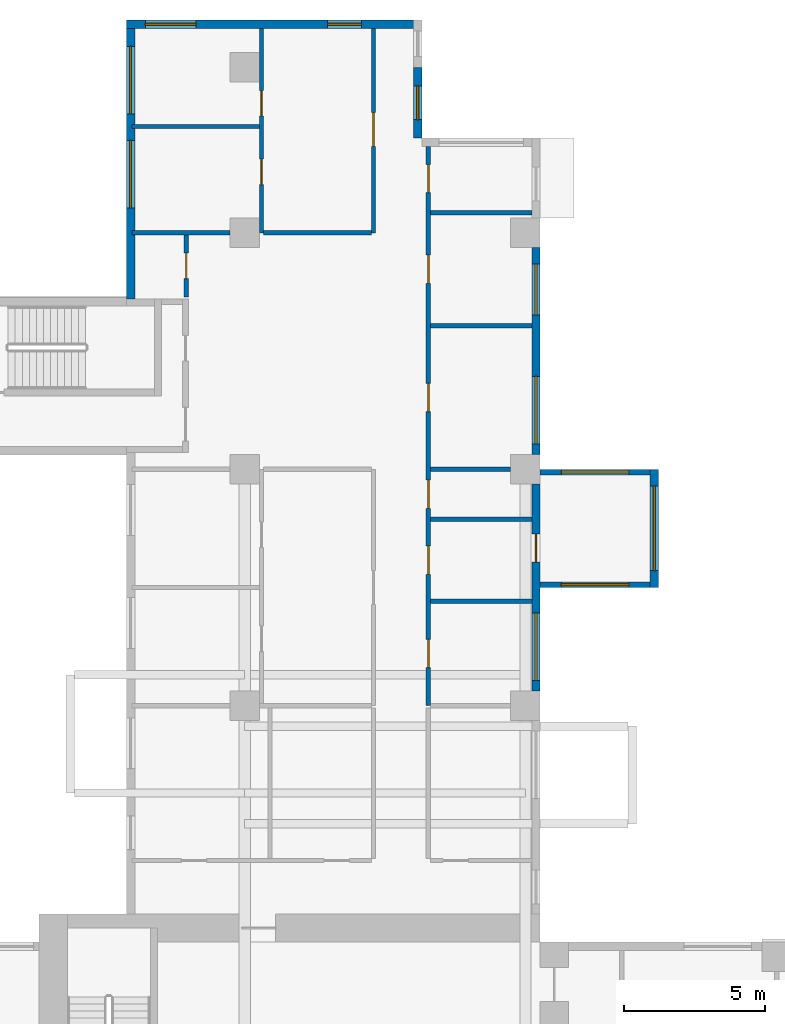
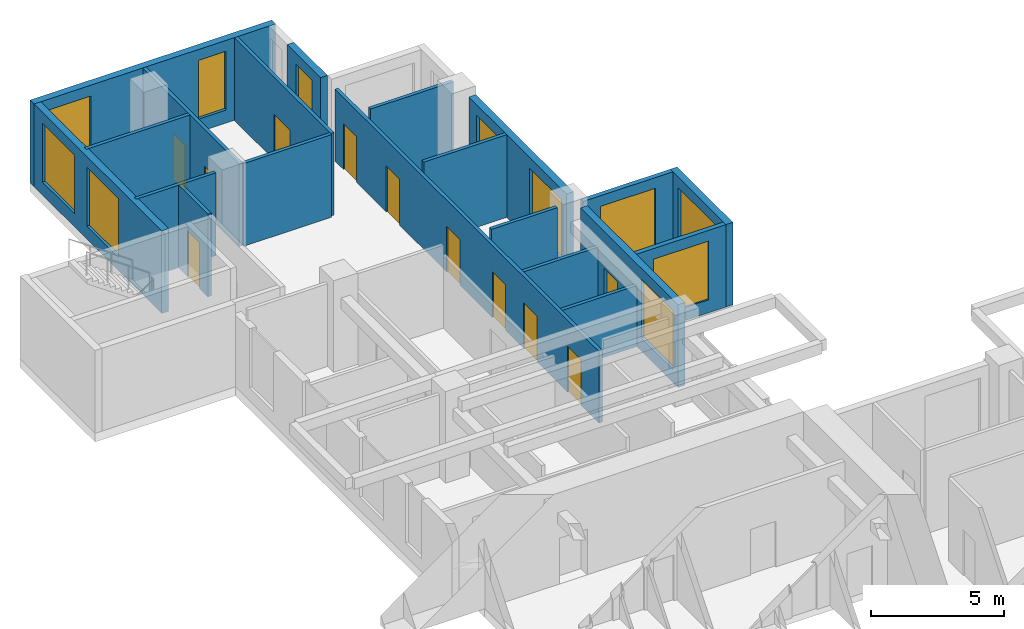
# One storey, part 8 of 15: 20 walls, 11 doors, 11 windows, 22 openings.
"""IFC4 building model written with IfcOpenShell, lengths in metres."""

from ifc_helpers import new_model, si_unit, direction, frame, frame_2d, origin, place, context, subcontext, project, spatial, rectangle, extrude, source, transform, mapped, material, layer, layer_set, type_object, element, fill, save


model = new_model("IFC4")

# Units and contexts
model_context = context("Model", 3, precision=1e-05, world=origin(), true_north=direction((0.0, 1.0)))
body_context = subcontext(model_context, "Body", "Model", "MODEL_VIEW")
ifc_project = project(units=[si_unit("LENGTHUNIT", "METRE"), si_unit("AREAUNIT", "SQUARE_METRE"), si_unit("VOLUMEUNIT", "CUBIC_METRE"), si_unit("PLANEANGLEUNIT", "RADIAN"), si_unit("MASSUNIT", "GRAM", prefix="KILO")], contexts=[model_context])

# Site, building, storey
site_placement = place(None, origin())
site = spatial("IfcSite", under=ifc_project, at=site_placement, CompositionType="ELEMENT")
building_placement = place(site_placement, origin())
building = spatial("IfcBuilding", under=site, at=building_placement, Name="Aurelian Terraces", CompositionType="ELEMENT")
storey_placement = place(building_placement, frame((0.0, 0.0, 145.5)))
storey = spatial("IfcBuildingStorey", under=building, at=storey_placement, Name="L32", CompositionType="ELEMENT", Elevation=145.5)

# Wall, opening, window
ifc_material_1 = material(Name="Terracotta rainscreen cladding", Category="masonry")
ifc_layer_1 = layer(ifc_material_1, 0.3)
ifc_layer_set_1 = layer_set([ifc_layer_1], Name="EW-300")
wall_type_1 = type_object("IfcWallType", Name="EW-300", PredefinedType="STANDARD", material=ifc_layer_set_1)
shared_shape_1 = source(origin(), body_context, "Body", "SweptSolid", [
    extrude(rectangle(XDim=2.52, YDim=0.3, at=frame_2d((1.26, 0.0))), origin(), (0.0, 0.0, 1.0), 3.8),
])
wall_1_placement = place(storey_placement, frame((16.65, 49.56, 0.0), z_axis=(0.0, 0.0, 1.0), x_axis=(0.0, 1.0, 0.0)))
wall_1 = element("IfcWall", 1, at=wall_1_placement, inside=storey, type_object=wall_type_1, Name="External wall L32 F14.29", PredefinedType="STANDARD", context=body_context, shape_type="MappedRepresentation", body=[
    mapped(shared_shape_1, transform((0.0, 0.0, 0.0), scale=1.0)),
])
shared_shape_2 = source(origin(), body_context, "Body", "SweptSolid", [
    extrude(rectangle(XDim=1.2, YDim=2.7, at=frame_2d((0.6, 1.35))), frame((0.0, 0.16, 0.0), z_axis=(0.0, -1.0, 0.0), x_axis=(1.0, 0.0, 0.0)), (0.0, 0.0, 1.0), 0.32),
])
opening_1_placement = place(wall_1_placement, frame((0.66, 0.0, 0.6)))
opening_1 = element("IfcOpeningElement", 2, at=opening_1_placement, cuts=wall_1, Name="Opening W1227", PredefinedType="OPENING", context=body_context, shape_type="MappedRepresentation", body=[
    mapped(shared_shape_2, transform((0.0, 0.0, 0.0), scale=1.0)),
])
ifc_material_2 = material(Name="Clear glazing", Category="glass")
window_type_1 = type_object("IfcWindowType", Name="W-1200x2700", PartitioningType="SINGLE_PANEL", PredefinedType="WINDOW", material=ifc_material_2)
shared_shape_3 = source(origin(), body_context, "Body", "SweptSolid", [
    extrude(rectangle(XDim=1.2, YDim=2.7, at=frame_2d((0.6, 1.35))), frame((0.0, 0.03, 0.0), z_axis=(0.0, -1.0, 0.0), x_axis=(1.0, 0.0, 0.0)), (0.0, 0.0, 1.0), 0.06),
])
window_1_placement = place(opening_1_placement, origin())
window_1 = element("IfcWindow", 3, at=window_1_placement, inside=storey, type_object=window_type_1, Name="Window L32 L32-F14-29-0", OverallHeight=2.7, OverallWidth=1.2, PartitioningType="SINGLE_PANEL", PredefinedType="WINDOW", context=body_context, shape_type="MappedRepresentation", body=[
    mapped(shared_shape_3, transform((0.0, 0.0, 0.0), scale=1.0)),
])
fill(opening_1, window_1)

ifc_material_3 = material(Name="Concrete fc' 40 MPa", Category="concrete")
ifc_layer_2 = layer(ifc_material_3, 0.2)
ifc_layer_set_2 = layer_set([ifc_layer_2], Name="BOX BEARING WALL 200")
wall_type_2 = type_object("IfcWallType", Name="BOX BEARING WALL 200", PredefinedType="SOLIDWALL", material=ifc_layer_set_2)
shared_shape_4 = source(origin(), body_context, "Body", "SweptSolid", [
    extrude(rectangle(XDim=3.9, YDim=0.2, at=frame_2d((1.95, 0.0))), origin(), (0.0, 0.0, 1.0), 3.79),
])
wall_2_placement = place(storey_placement, frame((21.0, 33.7, 0.0), z_axis=(0.0, 0.0, 1.0), x_axis=(1.0, 0.0, 0.0)))
wall_2 = element("IfcWall", 4, at=wall_2_placement, inside=storey, type_object=wall_type_2, Name="Box return L32 J46.1", PredefinedType="SOLIDWALL", context=body_context, shape_type="MappedRepresentation", body=[
    mapped(shared_shape_4, transform((0.0, 0.0, 0.0), scale=1.0)),
])
shared_shape_5 = source(origin(), body_context, "Body", "SweptSolid", [
    extrude(rectangle(XDim=2.4, YDim=2.7, at=frame_2d((1.2, 1.35))), frame((0.0, 0.11, 0.0), z_axis=(0.0, -1.0, 0.0), x_axis=(1.0, 0.0, 0.0)), (0.0, 0.0, 1.0), 0.22),
])
opening_2_placement = place(wall_2_placement, frame((0.75, 0.0, 0.6)))
opening_2 = element("IfcOpeningElement", 5, at=opening_2_placement, cuts=wall_2, Name="Opening W2427", PredefinedType="OPENING", context=body_context, shape_type="MappedRepresentation", body=[
    mapped(shared_shape_5, transform((0.0, 0.0, 0.0), scale=1.0)),
])
window_type_2 = type_object("IfcWindowType", Name="W-2400x2700", PartitioningType="SINGLE_PANEL", PredefinedType="WINDOW", material=ifc_material_2)
shared_shape_6 = source(origin(), body_context, "Body", "SweptSolid", [
    extrude(rectangle(XDim=2.4, YDim=2.7, at=frame_2d((1.2, 1.35))), frame((0.0, 0.03, 0.0), z_axis=(0.0, -1.0, 0.0), x_axis=(1.0, 0.0, 0.0)), (0.0, 0.0, 1.0), 0.06),
])
window_2_placement = place(opening_2_placement, origin())
window_2 = element("IfcWindow", 6, at=window_2_placement, inside=storey, type_object=window_type_2, Name="Window L32 J46-S1", OverallHeight=2.7, OverallWidth=2.4, PartitioningType="SINGLE_PANEL", PredefinedType="WINDOW", context=body_context, shape_type="MappedRepresentation", body=[
    mapped(shared_shape_6, transform((0.0, 0.0, 0.0), scale=1.0)),
])
fill(opening_2, window_2)

wall_3_placement = place(storey_placement, frame((21.0, 37.7, 0.0), z_axis=(0.0, 0.0, 1.0), x_axis=(1.0, 0.0, 0.0)))
wall_3 = element("IfcWall", 7, at=wall_3_placement, inside=storey, type_object=wall_type_2, Name="Box return L32 J46.2", PredefinedType="SOLIDWALL", context=body_context, shape_type="MappedRepresentation", body=[
    mapped(shared_shape_4, transform((0.0, 0.0, 0.0), scale=1.0)),
])
opening_3_placement = place(wall_3_placement, frame((0.75, 0.0, 0.6)))
opening_3 = element("IfcOpeningElement", 8, at=opening_3_placement, cuts=wall_3, Name="Opening W2427", PredefinedType="OPENING", context=body_context, shape_type="MappedRepresentation", body=[
    mapped(shared_shape_5, transform((0.0, 0.0, 0.0), scale=1.0)),
])
window_3_placement = place(opening_3_placement, origin())
window_3 = element("IfcWindow", 9, at=window_3_placement, inside=storey, type_object=window_type_2, Name="Window L32 J46-S2", OverallHeight=2.7, OverallWidth=2.4, PartitioningType="SINGLE_PANEL", PredefinedType="WINDOW", context=body_context, shape_type="MappedRepresentation", body=[
    mapped(shared_shape_6, transform((0.0, 0.0, 0.0), scale=1.0)),
])
fill(opening_3, window_3)

ifc_layer_3 = layer(ifc_material_3, 0.3)
ifc_layer_set_3 = layer_set([ifc_layer_3], Name="BOX BEARING WALL 300")
wall_type_3 = type_object("IfcWallType", Name="BOX BEARING WALL 300", PredefinedType="SOLIDWALL", material=ifc_layer_set_3)
shared_shape_7 = source(origin(), body_context, "Body", "SweptSolid", [
    extrude(rectangle(XDim=4.2, YDim=0.3, at=frame_2d((2.1, 0.0))), origin(), (0.0, 0.0, 1.0), 3.79),
])
wall_4_placement = place(storey_placement, frame((25.05, 33.6, 0.0), z_axis=(0.0, 0.0, 1.0), x_axis=(0.0, 1.0, 0.0)))
wall_4 = element("IfcWall", 10, at=wall_4_placement, inside=storey, type_object=wall_type_3, Name="Box wall L32 J46", PredefinedType="SOLIDWALL", context=body_context, shape_type="MappedRepresentation", body=[
    mapped(shared_shape_7, transform((0.0, 0.0, 0.0), scale=1.0)),
])
shared_shape_8 = source(origin(), body_context, "Body", "SweptSolid", [
    extrude(rectangle(XDim=3.0, YDim=2.7, at=frame_2d((1.5, 1.35))), frame((0.0, 0.16, 0.0), z_axis=(0.0, -1.0, 0.0), x_axis=(1.0, 0.0, 0.0)), (0.0, 0.0, 1.0), 0.32),
])
opening_4_placement = place(wall_4_placement, frame((0.6, 0.0, 0.6)))
opening_4 = element("IfcOpeningElement", 11, at=opening_4_placement, cuts=wall_4, Name="Opening W3027", PredefinedType="OPENING", context=body_context, shape_type="MappedRepresentation", body=[
    mapped(shared_shape_8, transform((0.0, 0.0, 0.0), scale=1.0)),
])
window_type_3 = type_object("IfcWindowType", Name="W-3000x2700", PartitioningType="SINGLE_PANEL", PredefinedType="WINDOW", material=ifc_material_2)
shared_shape_9 = source(origin(), body_context, "Body", "SweptSolid", [
    extrude(rectangle(XDim=3.0, YDim=2.7, at=frame_2d((1.5, 1.35))), frame((0.0, 0.03, 0.0), z_axis=(0.0, -1.0, 0.0), x_axis=(1.0, 0.0, 0.0)), (0.0, 0.0, 1.0), 0.06),
])
window_4_placement = place(opening_4_placement, origin())
window_4 = element("IfcWindow", 12, at=window_4_placement, inside=storey, type_object=window_type_3, Name="Window L32 J46-F1", OverallHeight=2.7, OverallWidth=3.0, PartitioningType="SINGLE_PANEL", PredefinedType="WINDOW", context=body_context, shape_type="MappedRepresentation", body=[
    mapped(shared_shape_9, transform((0.0, 0.0, 0.0), scale=1.0)),
])
fill(opening_4, window_4)

# Wall, openings, window, door
shared_shape_10 = source(origin(), body_context, "Body", "SweptSolid", [
    extrude(rectangle(XDim=7.35, YDim=0.3, at=frame_2d((3.675, 0.0))), origin(), (0.0, 0.0, 1.0), 3.8),
])
wall_5_placement = place(storey_placement, frame((20.85, 29.925, 0.0), z_axis=(0.0, 0.0, 1.0), x_axis=(0.0, 1.0, 0.0)))
wall_5 = element("IfcWall", 13, at=wall_5_placement, inside=storey, type_object=wall_type_1, Name="External wall L32 F12.25", PredefinedType="STANDARD", context=body_context, shape_type="MappedRepresentation", body=[
    mapped(shared_shape_10, transform((0.0, 0.0, 0.0), scale=1.0)),
])
shared_shape_11 = source(origin(), body_context, "Body", "SweptSolid", [
    extrude(rectangle(XDim=2.4, YDim=2.7, at=frame_2d((1.2, 1.35))), frame((0.0, 0.16, 0.0), z_axis=(0.0, -1.0, 0.0), x_axis=(1.0, 0.0, 0.0)), (0.0, 0.0, 1.0), 0.32),
])
opening_5_placement = place(wall_5_placement, frame((0.375, 0.0, 0.6)))
opening_5 = element("IfcOpeningElement", 14, at=opening_5_placement, cuts=wall_5, Name="Opening W2427", PredefinedType="OPENING", context=body_context, shape_type="MappedRepresentation", body=[
    mapped(shared_shape_11, transform((0.0, 0.0, 0.0), scale=1.0)),
])
shared_shape_12 = source(origin(), body_context, "Body", "SweptSolid", [
    extrude(rectangle(XDim=1.0, YDim=2.1, at=frame_2d((0.5, 1.05))), frame((0.0, 0.16, 0.0), z_axis=(0.0, -1.0, 0.0), x_axis=(1.0, 0.0, 0.0)), (0.0, 0.0, 1.0), 0.32),
])
opening_6_placement = place(wall_5_placement, frame((4.575, 0.0, 0.0)))
opening_6 = element("IfcOpeningElement", 15, at=opening_6_placement, cuts=wall_5, Name="Opening 832002", PredefinedType="OPENING", context=body_context, shape_type="MappedRepresentation", body=[
    mapped(shared_shape_12, transform((0.0, 0.0, 0.0), scale=1.0)),
])
window_5_placement = place(opening_5_placement, origin())
window_5 = element("IfcWindow", 16, at=window_5_placement, inside=storey, type_object=window_type_2, Name="Window L32 L32-F12-25-0", OverallHeight=2.7, OverallWidth=2.4, PartitioningType="SINGLE_PANEL", PredefinedType="WINDOW", context=body_context, shape_type="MappedRepresentation", body=[
    mapped(shared_shape_6, transform((0.0, 0.0, 0.0), scale=1.0)),
])
fill(opening_5, window_5)
ifc_material_4 = material(Name="Timber door leaf", Category="wood")
door_type_1 = type_object("IfcDoorType", Name="Room door 1000x2100 left", OperationType="SINGLE_SWING_LEFT", PredefinedType="DOOR", material=ifc_material_4)
shared_shape_13 = source(origin(), body_context, "Body", "SweptSolid", [
    extrude(rectangle(XDim=1.0, YDim=2.1, at=frame_2d((0.5, 1.05))), frame((0.0, 0.025, 0.0), z_axis=(0.0, -1.0, 0.0), x_axis=(1.0, 0.0, 0.0)), (0.0, 0.0, 1.0), 0.05),
])
door_1_placement = place(opening_6_placement, origin())
door_1 = element("IfcDoor", 17, at=door_1_placement, inside=storey, type_object=door_type_1, Name="Door 832002", OperationType="SINGLE_SWING_LEFT", OverallHeight=2.1, OverallWidth=1.0, PredefinedType="DOOR", context=body_context, shape_type="MappedRepresentation", body=[
    mapped(shared_shape_13, transform((0.0, 0.0, 0.0), scale=1.0)),
])
fill(opening_6, door_1)

# Wall, openings, windows
wall_6_placement = place(storey_placement, frame((20.85, 38.325, 0.0), z_axis=(0.0, 0.0, 1.0), x_axis=(0.0, 1.0, 0.0)))
wall_6 = element("IfcWall", 18, at=wall_6_placement, inside=storey, type_object=wall_type_1, Name="External wall L32 F12.26", PredefinedType="STANDARD", context=body_context, shape_type="MappedRepresentation", body=[
    mapped(shared_shape_10, transform((0.0, 0.0, 0.0), scale=1.0)),
])
opening_7_placement = place(wall_6_placement, frame((0.375, 0.0, 0.6)))
opening_7 = element("IfcOpeningElement", 19, at=opening_7_placement, cuts=wall_6, Name="Opening W2427", PredefinedType="OPENING", context=body_context, shape_type="MappedRepresentation", body=[
    mapped(shared_shape_11, transform((0.0, 0.0, 0.0), scale=1.0)),
])
shared_shape_14 = source(origin(), body_context, "Body", "SweptSolid", [
    extrude(rectangle(XDim=1.8, YDim=2.7, at=frame_2d((0.9, 1.35))), frame((0.0, 0.16, 0.0), z_axis=(0.0, -1.0, 0.0), x_axis=(1.0, 0.0, 0.0)), (0.0, 0.0, 1.0), 0.32),
])
opening_8_placement = place(wall_6_placement, frame((4.9605, 0.0, 0.6)))
opening_8 = element("IfcOpeningElement", 20, at=opening_8_placement, cuts=wall_6, Name="Opening W1827", PredefinedType="OPENING", context=body_context, shape_type="MappedRepresentation", body=[
    mapped(shared_shape_14, transform((0.0, 0.0, 0.0), scale=1.0)),
])
window_6_placement = place(opening_7_placement, origin())
window_6 = element("IfcWindow", 21, at=window_6_placement, inside=storey, type_object=window_type_2, Name="Window L32 L32-F12-26-0", OverallHeight=2.7, OverallWidth=2.4, PartitioningType="SINGLE_PANEL", PredefinedType="WINDOW", context=body_context, shape_type="MappedRepresentation", body=[
    mapped(shared_shape_6, transform((0.0, 0.0, 0.0), scale=1.0)),
])
fill(opening_7, window_6)
window_type_4 = type_object("IfcWindowType", Name="W-1800x2700", PartitioningType="SINGLE_PANEL", PredefinedType="WINDOW", material=ifc_material_2)
shared_shape_15 = source(origin(), body_context, "Body", "SweptSolid", [
    extrude(rectangle(XDim=1.8, YDim=2.7, at=frame_2d((0.9, 1.35))), frame((0.0, 0.03, 0.0), z_axis=(0.0, -1.0, 0.0), x_axis=(1.0, 0.0, 0.0)), (0.0, 0.0, 1.0), 0.06),
])
window_7_placement = place(opening_8_placement, origin())
window_7 = element("IfcWindow", 22, at=window_7_placement, inside=storey, type_object=window_type_4, Name="Window L32 L32-F12-26-1", OverallHeight=2.7, OverallWidth=1.8, PartitioningType="SINGLE_PANEL", PredefinedType="WINDOW", context=body_context, shape_type="MappedRepresentation", body=[
    mapped(shared_shape_15, transform((0.0, 0.0, 0.0), scale=1.0)),
])
fill(opening_8, window_7)

shared_shape_16 = source(origin(), body_context, "Body", "SweptSolid", [
    extrude(rectangle(XDim=10.5, YDim=0.3, at=frame_2d((5.25, 0.0))), origin(), (0.0, 0.0, 1.0), 3.8),
])
wall_7_placement = place(storey_placement, frame((16.8, 53.61, 0.0), z_axis=(0.0, 0.0, 1.0), x_axis=(-1.0, 0.0, 0.0)))
wall_7 = element("IfcWall", 23, at=wall_7_placement, inside=storey, type_object=wall_type_1, Name="External wall L32 F15.31", PredefinedType="STANDARD", context=body_context, shape_type="MappedRepresentation", body=[
    mapped(shared_shape_16, transform((0.0, 0.0, 0.0), scale=1.0)),
])
opening_9_placement = place(wall_7_placement, frame((2.15, 0.0, 0.6)))
opening_9 = element("IfcOpeningElement", 24, at=opening_9_placement, cuts=wall_7, Name="Opening W1227", PredefinedType="OPENING", context=body_context, shape_type="MappedRepresentation", body=[
    mapped(shared_shape_2, transform((0.0, 0.0, 0.0), scale=1.0)),
])
opening_10_placement = place(wall_7_placement, frame((8.025, 0.0, 0.6)))
opening_10 = element("IfcOpeningElement", 25, at=opening_10_placement, cuts=wall_7, Name="Opening W1827", PredefinedType="OPENING", context=body_context, shape_type="MappedRepresentation", body=[
    mapped(shared_shape_14, transform((0.0, 0.0, 0.0), scale=1.0)),
])
window_8_placement = place(opening_10_placement, origin())
window_8 = element("IfcWindow", 26, at=window_8_placement, inside=storey, type_object=window_type_4, Name="Window L32 L32-F15-31-2", OverallHeight=2.7, OverallWidth=1.8, PartitioningType="SINGLE_PANEL", PredefinedType="WINDOW", context=body_context, shape_type="MappedRepresentation", body=[
    mapped(shared_shape_15, transform((0.0, 0.0, 0.0), scale=1.0)),
])
fill(opening_10, window_8)
window_9_placement = place(opening_9_placement, origin())
window_9 = element("IfcWindow", 27, at=window_9_placement, inside=storey, type_object=window_type_1, Name="Window L32 L32-F15-31-0", OverallHeight=2.7, OverallWidth=1.2, PartitioningType="SINGLE_PANEL", PredefinedType="WINDOW", context=body_context, shape_type="MappedRepresentation", body=[
    mapped(shared_shape_3, transform((0.0, 0.0, 0.0), scale=1.0)),
])
fill(opening_9, window_9)

shared_shape_17 = source(origin(), body_context, "Body", "SweptSolid", [
    extrude(rectangle(XDim=9.91, YDim=0.3, at=frame_2d((4.955, 0.0))), origin(), (0.0, 0.0, 1.0), 3.8),
])
wall_8_placement = place(storey_placement, frame((6.45, 53.76, 0.0), z_axis=(0.0, 0.0, 1.0), x_axis=(0.0, -1.0, 0.0)))
wall_8 = element("IfcWall", 28, at=wall_8_placement, inside=storey, type_object=wall_type_1, Name="External wall L32 F16.32", PredefinedType="STANDARD", context=body_context, shape_type="MappedRepresentation", body=[
    mapped(shared_shape_17, transform((0.0, 0.0, 0.0), scale=1.0)),
])
opening_11_placement = place(wall_8_placement, frame((4.2725, 0.0, 0.6)))
opening_11 = element("IfcOpeningElement", 29, at=opening_11_placement, cuts=wall_8, Name="Opening W2427", PredefinedType="OPENING", context=body_context, shape_type="MappedRepresentation", body=[
    mapped(shared_shape_11, transform((0.0, 0.0, 0.0), scale=1.0)),
])
opening_12_placement = place(wall_8_placement, frame((0.9363, 0.0, 0.6)))
opening_12 = element("IfcOpeningElement", 30, at=opening_12_placement, cuts=wall_8, Name="Opening W2427", PredefinedType="OPENING", context=body_context, shape_type="MappedRepresentation", body=[
    mapped(shared_shape_11, transform((0.0, 0.0, 0.0), scale=1.0)),
])
window_10_placement = place(opening_11_placement, origin())
window_10 = element("IfcWindow", 31, at=window_10_placement, inside=storey, type_object=window_type_2, Name="Window L32 L32-F16-32-1", OverallHeight=2.7, OverallWidth=2.4, PartitioningType="SINGLE_PANEL", PredefinedType="WINDOW", context=body_context, shape_type="MappedRepresentation", body=[
    mapped(shared_shape_6, transform((0.0, 0.0, 0.0), scale=1.0)),
])
fill(opening_11, window_10)
window_11_placement = place(opening_12_placement, origin())
window_11 = element("IfcWindow", 32, at=window_11_placement, inside=storey, type_object=window_type_2, Name="Window L32 L32-F16-32-G0-0", OverallHeight=2.7, OverallWidth=2.4, PartitioningType="SINGLE_PANEL", PredefinedType="WINDOW", context=body_context, shape_type="MappedRepresentation", body=[
    mapped(shared_shape_6, transform((0.0, 0.0, 0.0), scale=1.0)),
])
fill(opening_12, window_11)

# Walls
ifc_material_5 = material(Name="Gypsum board on steel studs", Category="steel")
ifc_layer_4 = layer(ifc_material_5, 0.15)
ifc_layer_set_4 = layer_set([ifc_layer_4], Name="Partition 150")
wall_type_4 = type_object("IfcWallType", Name="Partition 150", PredefinedType="PARTITIONING", material=ifc_layer_set_4)
shared_shape_18 = source(origin(), body_context, "Body", "SweptSolid", [
    extrude(rectangle(XDim=3.6, YDim=0.15, at=frame_2d((1.8, 0.0))), origin(), (0.0, 0.0, 1.0), 3.8),
])
for number, where, z_axis, x_axis, name in (
    (33, (17.1, 42.8959, 0.0), (0.0, 0.0, 1.0), (1.0, 0.0, 0.0), "Partition"),
    (34, (17.1, 46.9126, 0.0), (0.0, 0.0, 1.0), (1.0, 0.0, 0.0), "Partition"),
):
    element("IfcWall", number, at=place(storey_placement, frame(where, z_axis=z_axis, x_axis=x_axis)), inside=storey, type_object=wall_type_4, Name=name, PredefinedType="PARTITIONING", context=body_context, shape_type="MappedRepresentation", body=[
        mapped(shared_shape_18, transform((0.0, 0.0, 0.0), scale=1.0)),
    ])

# Wall, opening, door
shared_shape_19 = source(origin(), body_context, "Body", "SweptSolid", [
    extrude(rectangle(XDim=2.2, YDim=0.15, at=frame_2d((1.1, 0.0))), origin(), (0.0, 0.0, 1.0), 3.8),
])
wall_9_placement = place(storey_placement, frame((8.425, 43.925, 0.0), z_axis=(0.0, 0.0, 1.0), x_axis=(0.0, 1.0, 0.0)))
wall_9 = element("IfcWall", 35, at=wall_9_placement, inside=storey, type_object=wall_type_4, Name="Partition", PredefinedType="PARTITIONING", context=body_context, shape_type="MappedRepresentation", body=[
    mapped(shared_shape_19, transform((0.0, 0.0, 0.0), scale=1.0)),
])
shared_shape_20 = source(origin(), body_context, "Body", "SweptSolid", [
    extrude(rectangle(XDim=0.9, YDim=2.1, at=frame_2d((0.45, 1.05))), frame((0.0, 0.085, 0.0), z_axis=(0.0, -1.0, 0.0), x_axis=(1.0, 0.0, 0.0)), (0.0, 0.0, 1.0), 0.17),
])
opening_13_placement = place(wall_9_placement, frame((0.65, 0.0, 0.0)))
opening_13 = element("IfcOpeningElement", 36, at=opening_13_placement, cuts=wall_9, Name="Opening 732023", PredefinedType="OPENING", context=body_context, shape_type="MappedRepresentation", body=[
    mapped(shared_shape_20, transform((0.0, 0.0, 0.0), scale=1.0)),
])
door_type_2 = type_object("IfcDoorType", Name="Room door 900x2100 left", OperationType="SINGLE_SWING_LEFT", PredefinedType="DOOR", material=ifc_material_4)
shared_shape_21 = source(origin(), body_context, "Body", "SweptSolid", [
    extrude(rectangle(XDim=0.9, YDim=2.1, at=frame_2d((0.45, 1.05))), frame((0.0, 0.025, 0.0), z_axis=(0.0, -1.0, 0.0), x_axis=(1.0, 0.0, 0.0)), (0.0, 0.0, 1.0), 0.05),
])
door_2_placement = place(opening_13_placement, origin())
door_2 = element("IfcDoor", 37, at=door_2_placement, inside=storey, type_object=door_type_2, Name="Door 732023", OperationType="SINGLE_SWING_LEFT", OverallHeight=2.1, OverallWidth=0.9, PredefinedType="DOOR", context=body_context, shape_type="MappedRepresentation", body=[
    mapped(shared_shape_21, transform((0.0, 0.0, 0.0), scale=1.0)),
])
fill(opening_13, door_2)

# Walls
shared_shape_22 = source(origin(), body_context, "Body", "SweptSolid", [
    extrude(rectangle(XDim=3.6, YDim=0.15, at=frame_2d((1.8, 0.0))), origin(), (0.0, 0.0, 1.0), 2.8),
])
for number, where, z_axis, x_axis, name in (
    (38, (17.1, 33.1133, 0.0), (0.0, 0.0, 1.0), (1.0, 0.0, 0.0), "Partition"),
    (39, (17.1, 36.024, 0.0), (0.0, 0.0, 1.0), (1.0, 0.0, 0.0), "Partition"),
):
    element("IfcWall", number, at=place(storey_placement, frame(where, z_axis=z_axis, x_axis=x_axis)), inside=storey, type_object=wall_type_4, Name=name, PredefinedType="PARTITIONING", context=body_context, shape_type="MappedRepresentation", body=[
        mapped(shared_shape_22, transform((0.0, 0.0, 0.0), scale=1.0)),
    ])

# Wall, openings, doors
shared_shape_23 = source(origin(), body_context, "Body", "SweptSolid", [
    extrude(rectangle(XDim=7.26, YDim=0.15, at=frame_2d((3.63, 0.0))), origin(), (0.0, 0.0, 1.0), 3.8),
])
wall_10_placement = place(storey_placement, frame((11.1, 46.2, 0.0), z_axis=(0.0, 0.0, 1.0), x_axis=(0.0, 1.0, 0.0)))
wall_10 = element("IfcWall", 40, at=wall_10_placement, inside=storey, type_object=wall_type_4, Name="Partition", PredefinedType="PARTITIONING", context=body_context, shape_type="MappedRepresentation", body=[
    mapped(shared_shape_23, transform((0.0, 0.0, 0.0), scale=1.0)),
])
opening_14_placement = place(wall_10_placement, frame((1.715, 0.0, 0.0)))
opening_14 = element("IfcOpeningElement", 41, at=opening_14_placement, cuts=wall_10, Name="Opening 732028", PredefinedType="OPENING", context=body_context, shape_type="MappedRepresentation", body=[
    mapped(shared_shape_20, transform((0.0, 0.0, 0.0), scale=1.0)),
])
opening_15_placement = place(wall_10_placement, frame((4.155, 0.0, 0.0)))
opening_15 = element("IfcOpeningElement", 42, at=opening_15_placement, cuts=wall_10, Name="Opening 732029", PredefinedType="OPENING", context=body_context, shape_type="MappedRepresentation", body=[
    mapped(shared_shape_20, transform((0.0, 0.0, 0.0), scale=1.0)),
])
door_3_placement = place(opening_14_placement, origin())
door_3 = element("IfcDoor", 43, at=door_3_placement, inside=storey, type_object=door_type_2, Name="Door 732028", OperationType="SINGLE_SWING_LEFT", OverallHeight=2.1, OverallWidth=0.9, PredefinedType="DOOR", context=body_context, shape_type="MappedRepresentation", body=[
    mapped(shared_shape_21, transform((0.0, 0.0, 0.0), scale=1.0)),
])
fill(opening_14, door_3)
door_type_3 = type_object("IfcDoorType", Name="Room door 900x2100 right", OperationType="SINGLE_SWING_RIGHT", PredefinedType="DOOR", material=ifc_material_4)
door_4_placement = place(opening_15_placement, origin())
door_4 = element("IfcDoor", 44, at=door_4_placement, inside=storey, type_object=door_type_3, Name="Door 732029", OperationType="SINGLE_SWING_RIGHT", OverallHeight=2.1, OverallWidth=0.9, PredefinedType="DOOR", context=body_context, shape_type="MappedRepresentation", body=[
    mapped(shared_shape_21, transform((0.0, 0.0, 0.0), scale=1.0)),
])
fill(opening_15, door_4)

# Wall, opening, door
ifc_layer_5 = layer(ifc_material_5, 0.15)
ifc_layer_set_5 = layer_set([ifc_layer_5], Name="Fire partition 150")
wall_type_5 = type_object("IfcWallType", Name="Fire partition 150", PredefinedType="PARTITIONING", material=ifc_layer_set_5)
wall_11_placement = place(storey_placement, frame((15.075, 46.2, 0.0), z_axis=(0.0, 0.0, 1.0), x_axis=(0.0, 1.0, 0.0)))
wall_11 = element("IfcWall", 45, at=wall_11_placement, inside=storey, type_object=wall_type_5, Name="Corridor wall", PredefinedType="PARTITIONING", context=body_context, shape_type="MappedRepresentation", body=[
    mapped(shared_shape_23, transform((0.0, 0.0, 0.0), scale=1.0)),
])
shared_shape_24 = source(origin(), body_context, "Body", "SweptSolid", [
    extrude(rectangle(XDim=1.2, YDim=2.1, at=frame_2d((0.6, 1.05))), frame((0.0, 0.085, 0.0), z_axis=(0.0, -1.0, 0.0), x_axis=(1.0, 0.0, 0.0)), (0.0, 0.0, 1.0), 0.17),
])
opening_16_placement = place(wall_11_placement, frame((3.0675, 0.0, 0.0)))
opening_16 = element("IfcOpeningElement", 46, at=opening_16_placement, cuts=wall_11, Name="Opening 732027", PredefinedType="OPENING", context=body_context, shape_type="MappedRepresentation", body=[
    mapped(shared_shape_24, transform((0.0, 0.0, 0.0), scale=1.0)),
])
door_type_4 = type_object("IfcDoorType", Name="Room door 1200x2100 right", OperationType="SINGLE_SWING_RIGHT", PredefinedType="DOOR", material=ifc_material_4)
shared_shape_25 = source(origin(), body_context, "Body", "SweptSolid", [
    extrude(rectangle(XDim=1.2, YDim=2.1, at=frame_2d((0.6, 1.05))), frame((0.0, 0.025, 0.0), z_axis=(0.0, -1.0, 0.0), x_axis=(1.0, 0.0, 0.0)), (0.0, 0.0, 1.0), 0.05),
])
door_5_placement = place(opening_16_placement, origin())
door_5 = element("IfcDoor", 47, at=door_5_placement, inside=storey, type_object=door_type_4, Name="Door 732027", OperationType="SINGLE_SWING_RIGHT", OverallHeight=2.1, OverallWidth=1.2, PredefinedType="DOOR", context=body_context, shape_type="MappedRepresentation", body=[
    mapped(shared_shape_25, transform((0.0, 0.0, 0.0), scale=1.0)),
])
fill(opening_16, door_5)

# Walls
shared_shape_26 = source(origin(), body_context, "Body", "SweptSolid", [
    extrude(rectangle(XDim=3.825, YDim=0.15, at=frame_2d((1.9125, 0.0))), origin(), (0.0, 0.0, 1.0), 3.8),
])
wall_12_placement = place(storey_placement, frame((15.0, 46.2, 0.0), z_axis=(0.0, 0.0, 1.0), x_axis=(-1.0, 0.0, 0.0)))
element("IfcWall", 48, at=wall_12_placement, inside=storey, type_object=wall_type_4, Name="Partition", PredefinedType="PARTITIONING", context=body_context, shape_type="MappedRepresentation", body=[
    mapped(shared_shape_26, transform((0.0, 0.0, 0.0), scale=1.0)),
])
shared_shape_27 = source(origin(), body_context, "Body", "SweptSolid", [
    extrude(rectangle(XDim=2.851, YDim=0.15, at=frame_2d((1.4255, 0.0))), origin(), (0.0, 0.0, 1.0), 3.8),
])
wall_13_placement = place(storey_placement, frame((19.951, 37.8, 0.0), z_axis=(0.0, 0.0, 1.0), x_axis=(-1.0, 0.0, 0.0)))
element("IfcWall", 49, at=wall_13_placement, inside=storey, type_object=wall_type_4, Name="Partition", PredefinedType="PARTITIONING", context=body_context, shape_type="MappedRepresentation", body=[
    mapped(shared_shape_27, transform((0.0, 0.0, 0.0), scale=1.0)),
])
shared_shape_28 = source(origin(), body_context, "Body", "SweptSolid", [
    extrude(rectangle(XDim=3.471, YDim=0.15, at=frame_2d((1.7355, 0.0))), origin(), (0.0, 0.0, 1.0), 3.8),
])
wall_14_placement = place(storey_placement, frame((9.976, 46.2, 0.0), z_axis=(0.0, 0.0, 1.0), x_axis=(-1.0, 0.0, 0.0)))
element("IfcWall", 50, at=wall_14_placement, inside=storey, type_object=wall_type_4, Name="Partition", PredefinedType="PARTITIONING", context=body_context, shape_type="MappedRepresentation", body=[
    mapped(shared_shape_28, transform((0.0, 0.0, 0.0), scale=1.0)),
])
shared_shape_29 = source(origin(), body_context, "Body", "SweptSolid", [
    extrude(rectangle(XDim=4.52, YDim=0.15, at=frame_2d((2.26, 0.0))), origin(), (0.0, 0.0, 1.0), 3.8),
])
wall_15_placement = place(storey_placement, frame((11.025, 49.98, 0.0), z_axis=(0.0, 0.0, 1.0), x_axis=(-1.0, 0.0, 0.0)))
element("IfcWall", 51, at=wall_15_placement, inside=storey, type_object=wall_type_4, Name="Partition", PredefinedType="PARTITIONING", context=body_context, shape_type="MappedRepresentation", body=[
    mapped(shared_shape_29, transform((0.0, 0.0, 0.0), scale=1.0)),
])

# Wall, openings, doors
shared_shape_30 = source(origin(), body_context, "Body", "SweptSolid", [
    extrude(rectangle(XDim=19.86, YDim=0.15, at=frame_2d((9.93, 0.0))), origin(), (0.0, 0.0, 1.0), 3.3),
])
wall_16_placement = place(storey_placement, frame((17.025, 49.26, 0.0), z_axis=(0.0, 0.0, 1.0), x_axis=(0.0, -1.0, 0.0)))
wall_16 = element("IfcWall", 52, at=wall_16_placement, inside=storey, type_object=wall_type_5, Name="Corridor wall", PredefinedType="PARTITIONING", context=body_context, shape_type="MappedRepresentation", body=[
    mapped(shared_shape_30, transform((0.0, 0.0, 0.0), scale=1.0)),
])
shared_shape_31 = source(origin(), body_context, "Body", "SweptSolid", [
    extrude(rectangle(XDim=1.0, YDim=2.1, at=frame_2d((0.5, 1.05))), frame((0.0, 0.085, 0.0), z_axis=(0.0, -1.0, 0.0), x_axis=(1.0, 0.0, 0.0)), (0.0, 0.0, 1.0), 0.17),
])
opening_17_placement = place(wall_16_placement, frame((17.5033, 0.0, 0.0)))
opening_17 = element("IfcOpeningElement", 53, at=opening_17_placement, cuts=wall_16, Name="Opening 732030", PredefinedType="OPENING", context=body_context, shape_type="MappedRepresentation", body=[
    mapped(shared_shape_31, transform((0.0, 0.0, 0.0), scale=1.0)),
])
opening_18_placement = place(wall_16_placement, frame((14.1914, 0.0, 0.0)))
opening_18 = element("IfcOpeningElement", 54, at=opening_18_placement, cuts=wall_16, Name="Opening 732031", PredefinedType="OPENING", context=body_context, shape_type="MappedRepresentation", body=[
    mapped(shared_shape_31, transform((0.0, 0.0, 0.0), scale=1.0)),
])
opening_19_placement = place(wall_16_placement, frame((11.848, 0.0, 0.0)))
opening_19 = element("IfcOpeningElement", 55, at=opening_19_placement, cuts=wall_16, Name="Opening 732032", PredefinedType="OPENING", context=body_context, shape_type="MappedRepresentation", body=[
    mapped(shared_shape_31, transform((0.0, 0.0, 0.0), scale=1.0)),
])
opening_20_placement = place(wall_16_placement, frame((8.4121, 0.0, 0.0)))
opening_20 = element("IfcOpeningElement", 56, at=opening_20_placement, cuts=wall_16, Name="Opening 732033", PredefinedType="OPENING", context=body_context, shape_type="MappedRepresentation", body=[
    mapped(shared_shape_31, transform((0.0, 0.0, 0.0), scale=1.0)),
])
opening_21_placement = place(wall_16_placement, frame((3.8558, 0.0, 0.0)))
opening_21 = element("IfcOpeningElement", 57, at=opening_21_placement, cuts=wall_16, Name="Opening 732034", PredefinedType="OPENING", context=body_context, shape_type="MappedRepresentation", body=[
    mapped(shared_shape_31, transform((0.0, 0.0, 0.0), scale=1.0)),
])
opening_22_placement = place(wall_16_placement, frame((0.6362, 0.0, 0.0)))
opening_22 = element("IfcOpeningElement", 58, at=opening_22_placement, cuts=wall_16, Name="Opening 732035", PredefinedType="OPENING", context=body_context, shape_type="MappedRepresentation", body=[
    mapped(shared_shape_31, transform((0.0, 0.0, 0.0), scale=1.0)),
])
door_type_5 = type_object("IfcDoorType", Name="Room door 1000x2100 right", OperationType="SINGLE_SWING_RIGHT", PredefinedType="DOOR", material=ifc_material_4)
door_6_placement = place(opening_17_placement, origin())
door_6 = element("IfcDoor", 59, at=door_6_placement, inside=storey, type_object=door_type_5, Name="Door 732030", OperationType="SINGLE_SWING_RIGHT", OverallHeight=2.1, OverallWidth=1.0, PredefinedType="DOOR", context=body_context, shape_type="MappedRepresentation", body=[
    mapped(shared_shape_13, transform((0.0, 0.0, 0.0), scale=1.0)),
])
fill(opening_17, door_6)
door_7_placement = place(opening_18_placement, origin())
door_7 = element("IfcDoor", 60, at=door_7_placement, inside=storey, type_object=door_type_1, Name="Door 732031", OperationType="SINGLE_SWING_LEFT", OverallHeight=2.1, OverallWidth=1.0, PredefinedType="DOOR", context=body_context, shape_type="MappedRepresentation", body=[
    mapped(shared_shape_13, transform((0.0, 0.0, 0.0), scale=1.0)),
])
fill(opening_18, door_7)
door_8_placement = place(opening_19_placement, origin())
door_8 = element("IfcDoor", 61, at=door_8_placement, inside=storey, type_object=door_type_5, Name="Door 732032", OperationType="SINGLE_SWING_RIGHT", OverallHeight=2.1, OverallWidth=1.0, PredefinedType="DOOR", context=body_context, shape_type="MappedRepresentation", body=[
    mapped(shared_shape_13, transform((0.0, 0.0, 0.0), scale=1.0)),
])
fill(opening_19, door_8)
door_9_placement = place(opening_20_placement, origin())
door_9 = element("IfcDoor", 62, at=door_9_placement, inside=storey, type_object=door_type_5, Name="Door 732033", OperationType="SINGLE_SWING_RIGHT", OverallHeight=2.1, OverallWidth=1.0, PredefinedType="DOOR", context=body_context, shape_type="MappedRepresentation", body=[
    mapped(shared_shape_13, transform((0.0, 0.0, 0.0), scale=1.0)),
])
fill(opening_20, door_9)
door_10_placement = place(opening_21_placement, origin())
door_10 = element("IfcDoor", 63, at=door_10_placement, inside=storey, type_object=door_type_1, Name="Door 732034", OperationType="SINGLE_SWING_LEFT", OverallHeight=2.1, OverallWidth=1.0, PredefinedType="DOOR", context=body_context, shape_type="MappedRepresentation", body=[
    mapped(shared_shape_13, transform((0.0, 0.0, 0.0), scale=1.0)),
])
fill(opening_21, door_10)
door_11_placement = place(opening_22_placement, origin())
door_11 = element("IfcDoor", 64, at=door_11_placement, inside=storey, type_object=door_type_5, Name="Door 732035", OperationType="SINGLE_SWING_RIGHT", OverallHeight=2.1, OverallWidth=1.0, PredefinedType="DOOR", context=body_context, shape_type="MappedRepresentation", body=[
    mapped(shared_shape_13, transform((0.0, 0.0, 0.0), scale=1.0)),
])
fill(opening_22, door_11)

save(model, "model.ifc")
